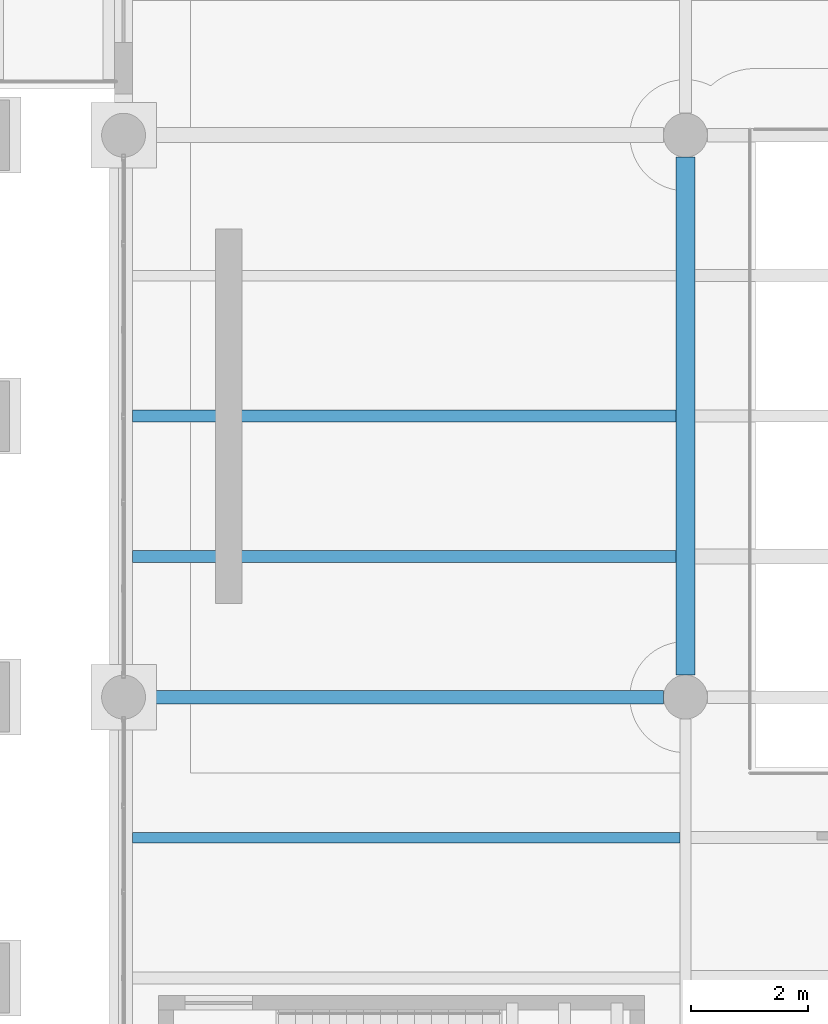
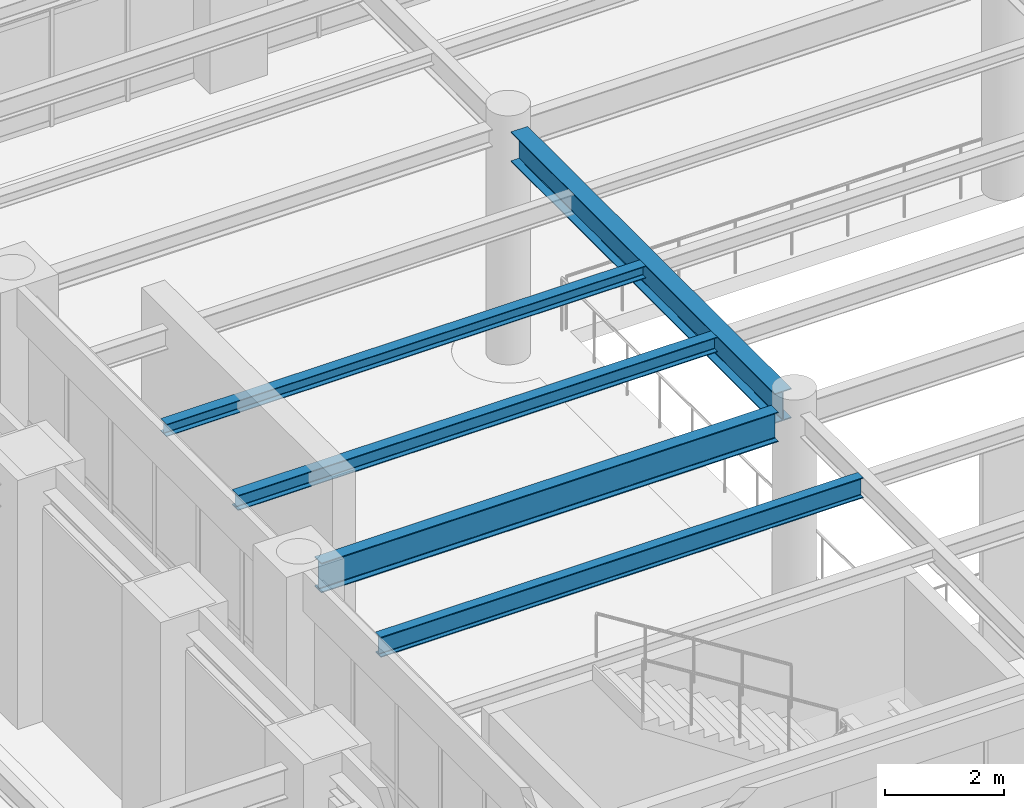
# One storey, part 38 of 174: 5 beams.
"""IFC4 building model written with IfcOpenShell, lengths in metres."""

from ifc_helpers import new_model, si_unit, direction, frame, origin, origin_2d, place, context, subcontext, project, spatial, i_section, extrude, material, material_profile, profile_set, type_object, element, save


model = new_model("IFC4")

# Units and contexts
model_context = context("Model", 3, precision=1e-05, world=origin(), true_north=direction((0.0, 1.0)))
body_context = subcontext(model_context, "Body", "Model", "MODEL_VIEW")
ifc_project = project(units=[si_unit("LENGTHUNIT", "METRE"), si_unit("AREAUNIT", "SQUARE_METRE"), si_unit("VOLUMEUNIT", "CUBIC_METRE"), si_unit("PLANEANGLEUNIT", "RADIAN"), si_unit("MASSUNIT", "GRAM", prefix="KILO")], contexts=[model_context])

# Site, building, storey
site_placement = place(None, origin())
site = spatial("IfcSite", under=ifc_project, at=site_placement, CompositionType="ELEMENT")
building_placement = place(site_placement, origin())
building = spatial("IfcBuilding", under=site, at=building_placement, Name="Mavantir Sound Aquarium", CompositionType="ELEMENT")
storey_placement = place(building_placement, frame((0.0, 0.0, 5.39990234375)))
storey = spatial("IfcBuildingStorey", under=building, at=storey_placement, Name="L01", CompositionType="ELEMENT", Elevation=5.39990234375)

# Beams
ifc_material = material(Name="Structural Steel ASTM A992 Gr50", Category="steel")
ifc_material_profile_1 = material_profile(ifc_material, i_section(OverallWidth=0.202880859375, OverallDepth=0.251953125, WebThickness=0.008056640625, FlangeThickness=0.013427734375, FilletRadius=0.011962890625, at=origin_2d()), Name="W250X58")
ifc_profile_set_1 = profile_set([ifc_material_profile_1], Name="Structural Steel ASTM A992 Gr50")
beam_type_1 = type_object("IfcBeamType", Name="BM-W250X58-I", PredefinedType="JOIST", material=ifc_profile_set_1)
beam_1_placement = place(storey_placement, frame((36.152587890625, 55.199951171875, 4.670166015625), z_axis=(1.0, 0.0, 0.0), x_axis=(0.0, 1.0, 0.0)))
element("IfcBeam", 1, at=beam_1_placement, inside=storey, type_object=beam_type_1, Name="L01 secondary floor joist SJ-25 672", PredefinedType="JOIST", context=body_context, shape_type="SweptSolid", body=[
    extrude(i_section(OverallWidth=0.202880859375, OverallDepth=0.251953125, WebThickness=0.008056640625, FlangeThickness=0.013427734375, FilletRadius=0.011962890625, at=origin_2d()), origin(), (0.0, 0.0, 1.0), 9.285400390625),
])
ifc_material_profile_2 = material_profile(ifc_material, i_section(OverallWidth=0.205078125, OverallDepth=0.31005859375, WebThickness=0.009521484375, FlangeThickness=0.016357421875, FilletRadius=0.012939453125, at=origin_2d()), Name="W310X74")
ifc_profile_set_2 = profile_set([ifc_material_profile_2], Name="Structural Steel ASTM A992 Gr50")
beam_type_2 = type_object("IfcBeamType", Name="BM-W310X74-I", PredefinedType="JOIST", material=ifc_profile_set_2)
beam_2_placement = place(storey_placement, frame((36.152587890625, 52.800048828125, 4.64111328125), z_axis=(1.0, 0.0, 0.0), x_axis=(0.0, 1.0, 0.0)))
element("IfcBeam", 2, at=beam_2_placement, inside=storey, type_object=beam_type_2, Name="L01 secondary floor joist SJ-31 671", PredefinedType="JOIST", context=body_context, shape_type="SweptSolid", body=[
    extrude(i_section(OverallWidth=0.205078125, OverallDepth=0.31005859375, WebThickness=0.009521484375, FlangeThickness=0.016357421875, FilletRadius=0.012939453125, at=origin_2d()), origin(), (0.0, 0.0, 1.0), 9.285400390625),
])
ifc_material_profile_3 = material_profile(ifc_material, i_section(OverallWidth=0.180908203125, OverallDepth=0.4169921875, WebThickness=0.010986328125, FlangeThickness=0.018310546875, FilletRadius=0.014892578125, at=origin_2d()), Name="W410X85")
ifc_profile_set_3 = profile_set([ifc_material_profile_3], Name="Structural Steel ASTM A992 Gr50")
beam_type_3 = type_object("IfcBeamType", Name="BM-W410X85-I", PredefinedType="JOIST", material=ifc_profile_set_3)
beam_3_placement = place(storey_placement, frame((36.152587890625, 48.0, 4.587646484375), z_axis=(1.0, 0.0, 0.0), x_axis=(0.0, 1.0, 0.0)))
element("IfcBeam", 3, at=beam_3_placement, inside=storey, type_object=beam_type_3, Name="L01 secondary floor joist SJ-41 665", PredefinedType="JOIST", context=body_context, shape_type="SweptSolid", body=[
    extrude(i_section(OverallWidth=0.180908203125, OverallDepth=0.4169921875, WebThickness=0.010986328125, FlangeThickness=0.018310546875, FilletRadius=0.014892578125, at=origin_2d()), origin(), (0.0, 0.0, 1.0), 9.350341796875),
])
ifc_material_profile_4 = material_profile(ifc_material, i_section(OverallWidth=0.22900390625, OverallDepth=0.612060546875, WebThickness=0.011962890625, FlangeThickness=0.01953125, FilletRadius=0.01904296875, at=origin_2d()), Name="W610X125")
ifc_profile_set_4 = profile_set([ifc_material_profile_4], Name="Structural Steel ASTM A992 Gr50")
beam_type_4 = type_object("IfcBeamType", Name="BM-W610X125-I", PredefinedType="BEAM", material=ifc_profile_set_4)
beam_4_placement = place(storey_placement, frame((36.375, 50.39990234375, 4.489990234375), z_axis=(1.0, 0.0, 0.0), x_axis=(0.0, 1.0, 0.0)))
element("IfcBeam", 4, at=beam_4_placement, inside=storey, type_object=beam_type_4, Name="L01 primary beam SB-61B 1185", PredefinedType="BEAM", context=body_context, shape_type="SweptSolid", body=[
    extrude(i_section(OverallWidth=0.22900390625, OverallDepth=0.612060546875, WebThickness=0.011962890625, FlangeThickness=0.01953125, FilletRadius=0.01904296875, at=origin_2d()), origin(), (0.0, 0.0, 1.0), 8.85009765625),
])
ifc_material_profile_5 = material_profile(ifc_material, i_section(OverallWidth=0.323974609375, OverallDepth=0.611083984375, WebThickness=0.0126953125, FlangeThickness=0.01904296875, FilletRadius=0.01904296875, at=origin_2d()), Name="W610X155")
ifc_profile_set_5 = profile_set([ifc_material_profile_5], Name="Structural Steel ASTM A992 Gr50")
beam_type_5 = type_object("IfcBeamType", Name="BM-W610X155-I", PredefinedType="BEAM", material=ifc_profile_set_5)
beam_5_placement = place(storey_placement, frame((45.60009765625, 50.77490234375, 4.490478515625), z_axis=(0.0, 1.0, 0.0), x_axis=(-1.0, 0.0, 0.0)))
element("IfcBeam", 5, at=beam_5_placement, inside=storey, type_object=beam_type_5, Name="L01 primary girder SB-61A 1198", PredefinedType="BEAM", context=body_context, shape_type="SweptSolid", body=[
    extrude(i_section(OverallWidth=0.323974609375, OverallDepth=0.611083984375, WebThickness=0.0126953125, FlangeThickness=0.01904296875, FilletRadius=0.01904296875, at=origin_2d()), origin(), (0.0, 0.0, 1.0), 8.85009765625),
])

save(model, "model.ifc")
